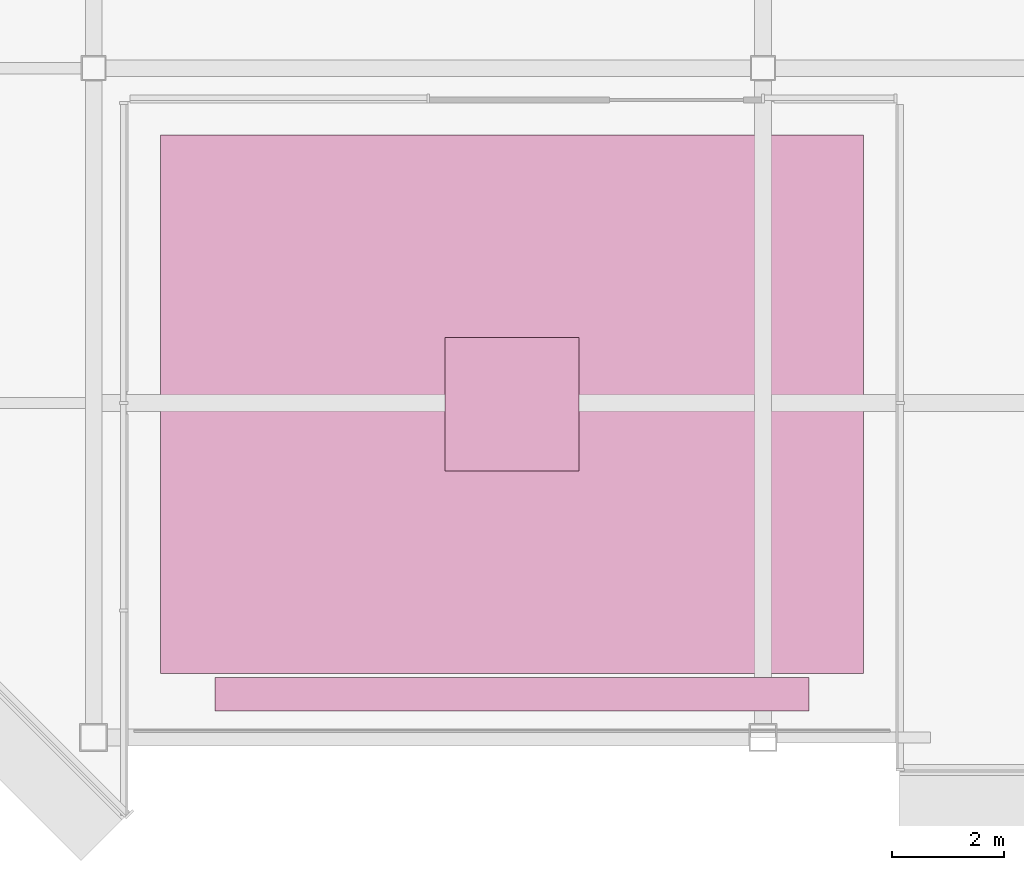
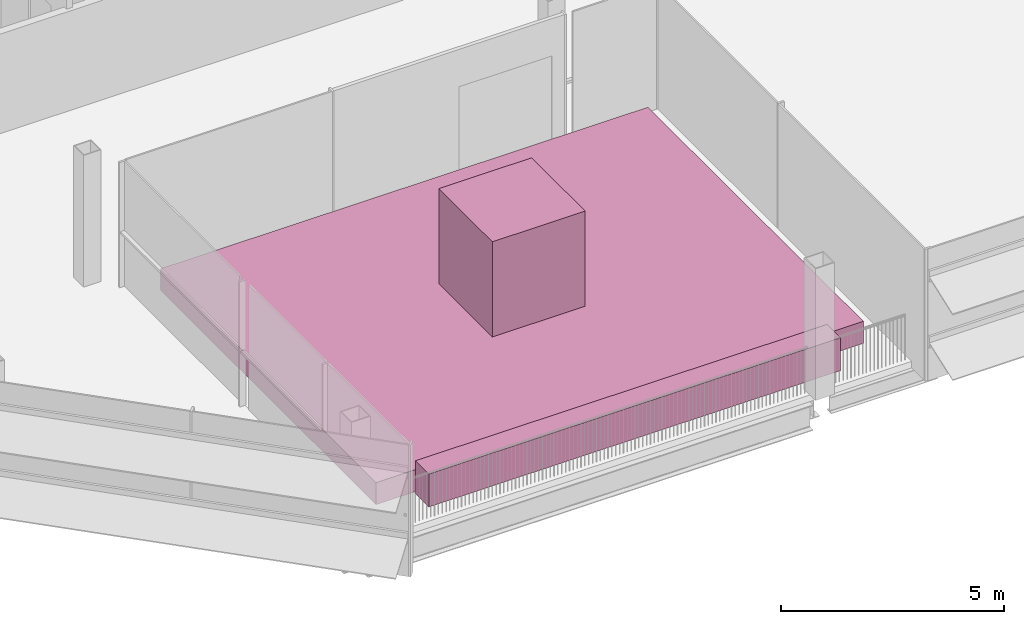
# One storey, part 31 of 31: 3 furniture elements.
"""IFC4 building model written with IfcOpenShell, lengths in metres."""

from ifc_helpers import new_model, si_unit, direction, frame, origin, origin_2d, place, context, subcontext, project, spatial, rectangle, extrude, material, type_object, element, save


model = new_model("IFC4")

# Units and contexts
model_context = context("Model", 3, precision=1e-05, world=origin(), true_north=direction((0.0, 1.0)))
body_context = subcontext(model_context, "Body", "Model", "MODEL_VIEW")
ifc_project = project(units=[si_unit("LENGTHUNIT", "METRE"), si_unit("AREAUNIT", "SQUARE_METRE"), si_unit("VOLUMEUNIT", "CUBIC_METRE"), si_unit("PLANEANGLEUNIT", "RADIAN"), si_unit("MASSUNIT", "GRAM", prefix="KILO")], contexts=[model_context])

# Site, building, storey
site_placement = place(None, origin())
site = spatial("IfcSite", under=ifc_project, at=site_placement, CompositionType="ELEMENT")
building_placement = place(site_placement, origin())
building = spatial("IfcBuilding", under=site, at=building_placement, Name="Sorahane Residences", CompositionType="ELEMENT")
storey_placement = place(building_placement, frame((0.0, 0.0, 319.60009765625)))
storey = spatial("IfcBuildingStorey", under=building, at=storey_placement, Name="L76", CompositionType="ELEMENT", Elevation=319.60009765625)

# Furniture
ifc_material_1 = material(Name="Planting soil with shrubs in a steel-framed bed", Category="steel")
furniture_type_1 = type_object("IfcFurnitureType", Name="PLANTER bed black steel frame with soil 12600x9650", AssemblyPlace="NOTDEFINED", PredefinedType="NOTDEFINED", material=ifc_material_1)
furniture_1_placement = place(storey_placement, frame((-4.5, 5.97509765625, -0.000244140625), z_axis=(0.0, 0.0, 1.0), x_axis=(1.0, 0.0, 0.0)))
element("IfcFurniture", 1, at=furniture_1_placement, inside=storey, type_object=furniture_type_1, Name="PLANTER bed L76.1.1", PredefinedType="NOTDEFINED", context=body_context, shape_type="SweptSolid", body=[
    extrude(rectangle(XDim=12.60009765625, YDim=9.64990234375, at=origin_2d()), origin(), (0.0, 0.0, 1.0), 0.60009765625),
])
ifc_material_2 = material(Name="Planting soil with hedge in a steel-framed trough", Category="steel")
furniture_type_2 = type_object("IfcFurnitureType", Name="PLANTER hedge strip black steel frame with soil", AssemblyPlace="NOTDEFINED", PredefinedType="NOTDEFINED", material=ifc_material_2)
furniture_2_placement = place(storey_placement, frame((-4.5, 0.780029296875, 0.0), z_axis=(0.0, 0.0, 1.0), x_axis=(-1.0, 0.0, 0.0)))
element("IfcFurniture", 2, at=furniture_2_placement, inside=storey, type_object=furniture_type_2, Name="PLANTER hedge L76.1.1", PredefinedType="NOTDEFINED", context=body_context, shape_type="SweptSolid", body=[
    extrude(rectangle(XDim=10.639892578125, YDim=0.60009765625, at=origin_2d()), origin(), (0.0, 0.0, 1.0), 0.89990234375),
])
ifc_material_3 = material(Name="Green foliage shrub planting")
furniture_type_3 = type_object("IfcFurnitureType", Name="PLANTER shrub planting green foliage", AssemblyPlace="NOTDEFINED", PredefinedType="NOTDEFINED", material=ifc_material_3)
furniture_3_placement = place(storey_placement, frame((-4.5, 5.97509765625, 0.599853515625), z_axis=(0.0, 0.0, 1.0), x_axis=(1.0, 0.0, 0.0)))
element("IfcFurniture", 3, at=furniture_3_placement, inside=storey, type_object=furniture_type_3, Name="PLANTER shrub L76.1.1", PredefinedType="NOTDEFINED", context=body_context, shape_type="SweptSolid", body=[
    extrude(rectangle(XDim=2.39990234375, YDim=2.39990234375, at=origin_2d()), origin(), (0.0, 0.0, 1.0), 2.60009765625),
])

save(model, "model.ifc")
